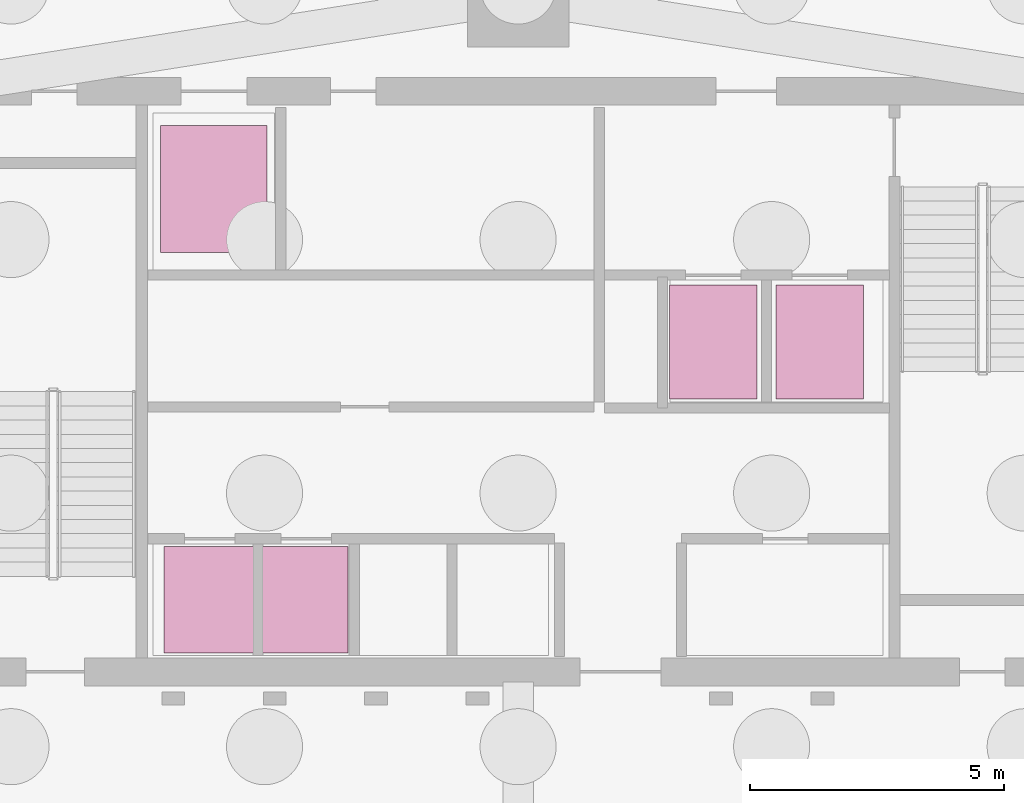
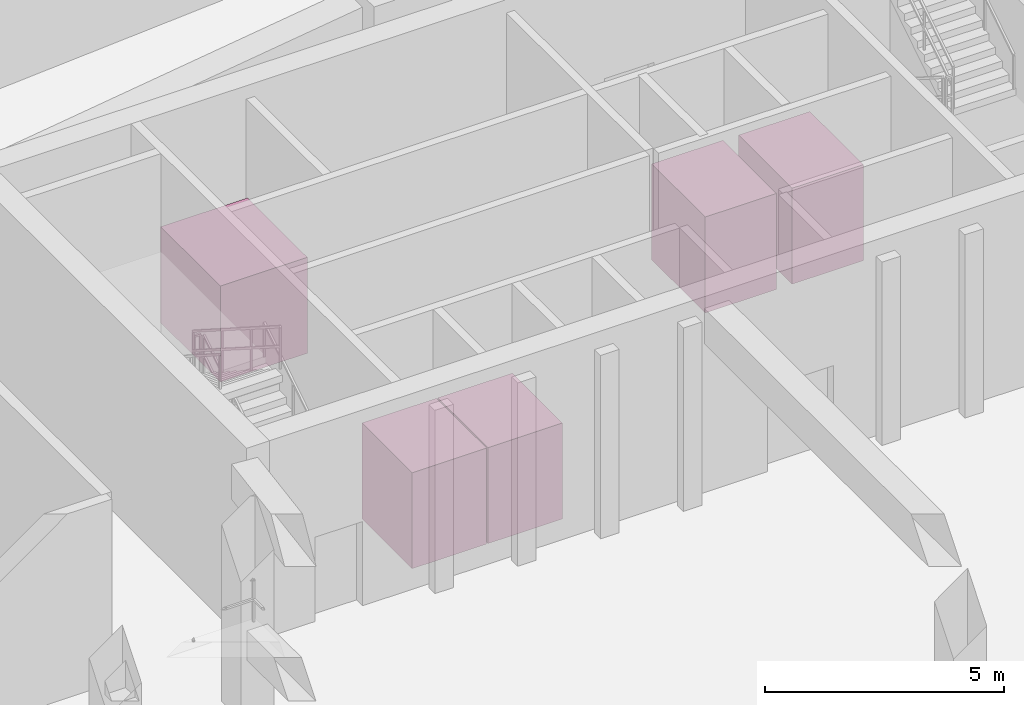
# One storey, part 11 of 11: 5 transport elements.
"""IFC4 building model written with IfcOpenShell, lengths in metres."""

from ifc_helpers import new_model, si_unit, direction, frame, origin, origin_2d, place, context, subcontext, project, spatial, rectangle, extrude, source, transform, mapped, material, type_object, type_shapes, element, save


model = new_model("IFC4")

# Units and contexts
model_context = context("Model", 3, precision=1e-05, world=origin(), true_north=direction((0.0, 1.0)))
body_context = subcontext(model_context, "Body", "Model", "MODEL_VIEW")
ifc_project = project(units=[si_unit("LENGTHUNIT", "METRE"), si_unit("AREAUNIT", "SQUARE_METRE"), si_unit("VOLUMEUNIT", "CUBIC_METRE"), si_unit("PLANEANGLEUNIT", "RADIAN"), si_unit("MASSUNIT", "GRAM", prefix="KILO")], contexts=[model_context])

# Site, building, storey
site_placement = place(None, origin())
site = spatial("IfcSite", under=ifc_project, at=site_placement, CompositionType="ELEMENT")
building_placement = place(site_placement, origin())
building = spatial("IfcBuilding", under=site, at=building_placement, Name="Breltana Convention Tower", CompositionType="ELEMENT")
storey_placement = place(building_placement, frame((0.0, 0.0, -10.0)))
storey = spatial("IfcBuildingStorey", under=building, at=storey_placement, Name="B02", CompositionType="ELEMENT", Elevation=-10.0)

# Transport elements
ifc_material = material(Name="Stainless Steel Cab Assembly", Category="steel")
transport_element_type_1 = type_object("IfcTransportElementType", Name="LFT-PAX-1600", PredefinedType="ELEVATOR", material=ifc_material)
shared_shape_1 = source(origin(), body_context, "Body", "SweptSolid", [
    extrude(rectangle(XDim=1.800048828125, YDim=2.10009765625, at=origin_2d()), origin(), (0.0, 0.0, 1.0), 2.449951171875),
])
type_shapes(transport_element_type_1, [shared_shape_1])
for number, where, z_axis, x_axis, name in (
    (1, (41.919921875, 61.89990234375, 0.0), (0.0, 0.0, 1.0), (1.0, 0.0, 0.0), "Low Lift PL-L1"),
    (2, (43.75, 61.89990234375, 0.0), (0.0, 0.0, 1.0), (1.0, 0.0, 0.0), "Low Lift PL-L2"),
):
    element("IfcTransportElement", number, at=place(storey_placement, frame(where, z_axis=z_axis, x_axis=x_axis)), inside=storey, type_object=transport_element_type_1, Name=name, PredefinedType="ELEVATOR", context=body_context, shape_type="MappedRepresentation", body=[
        mapped(shared_shape_1, transform((0.0, 0.0, 0.0), scale=1.0)),
    ])
transport_element_type_2 = type_object("IfcTransportElementType", Name="LFT-FF-1750", PredefinedType="ELEVATOR", material=ifc_material)
shared_shape_2 = source(origin(), body_context, "Body", "SweptSolid", [
    extrude(rectangle(XDim=1.719970703125, YDim=2.239990234375, at=origin_2d()), origin(), (0.0, 0.0, 1.0), 2.449951171875),
])
type_shapes(transport_element_type_2, [shared_shape_2])
for number, where, z_axis, x_axis, name in (
    (3, (51.85009765625, 66.97998046875, 0.0), (0.0, 0.0, 1.0), (1.0, 0.0, 0.0), "Firefighting Lift FL-1"),
    (4, (53.949951171875, 66.97998046875, 0.0), (0.0, 0.0, 1.0), (1.0, 0.0, 0.0), "Firefighting Lift FL-2"),
):
    element("IfcTransportElement", number, at=place(storey_placement, frame(where, z_axis=z_axis, x_axis=x_axis)), inside=storey, type_object=transport_element_type_2, Name=name, PredefinedType="ELEVATOR", context=body_context, shape_type="MappedRepresentation", body=[
        mapped(shared_shape_2, transform((0.0, 0.0, 0.0), scale=1.0)),
    ])
transport_element_type_3 = type_object("IfcTransportElementType", Name="LFT-SRV-2200", PredefinedType="ELEVATOR", material=ifc_material)
shared_shape_3 = source(origin(), body_context, "Body", "SweptSolid", [
    extrude(rectangle(XDim=2.10009765625, YDim=2.5, at=origin_2d()), origin(), (0.0, 0.0, 1.0), 2.449951171875),
])
type_shapes(transport_element_type_3, [shared_shape_3])
transport_element_placement = place(storey_placement, frame((42.0, 70.0, 0.0), z_axis=(0.0, 0.0, 1.0), x_axis=(1.0, 0.0, 0.0)))
element("IfcTransportElement", 5, at=transport_element_placement, inside=storey, type_object=transport_element_type_3, Name="Service Lift SV-1", PredefinedType="ELEVATOR", context=body_context, shape_type="MappedRepresentation", body=[
    mapped(shared_shape_3, transform((0.0, 0.0, 0.0), scale=1.0)),
])

save(model, "model.ifc")
